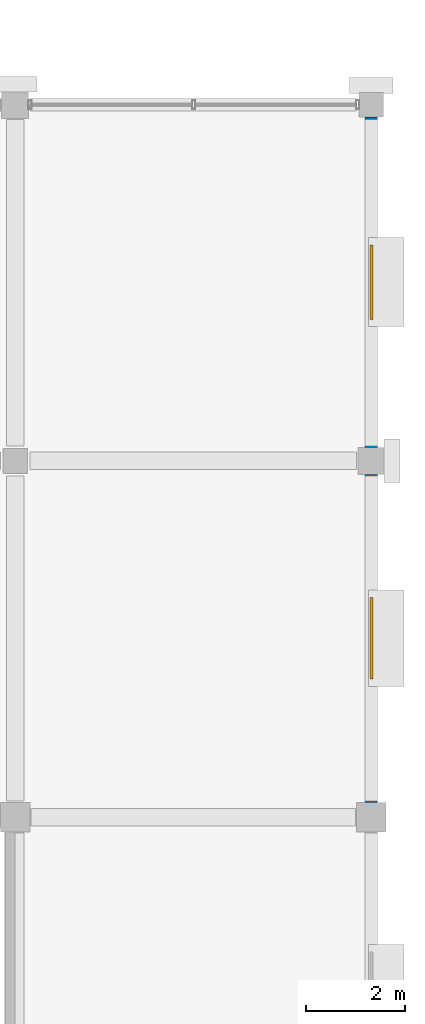
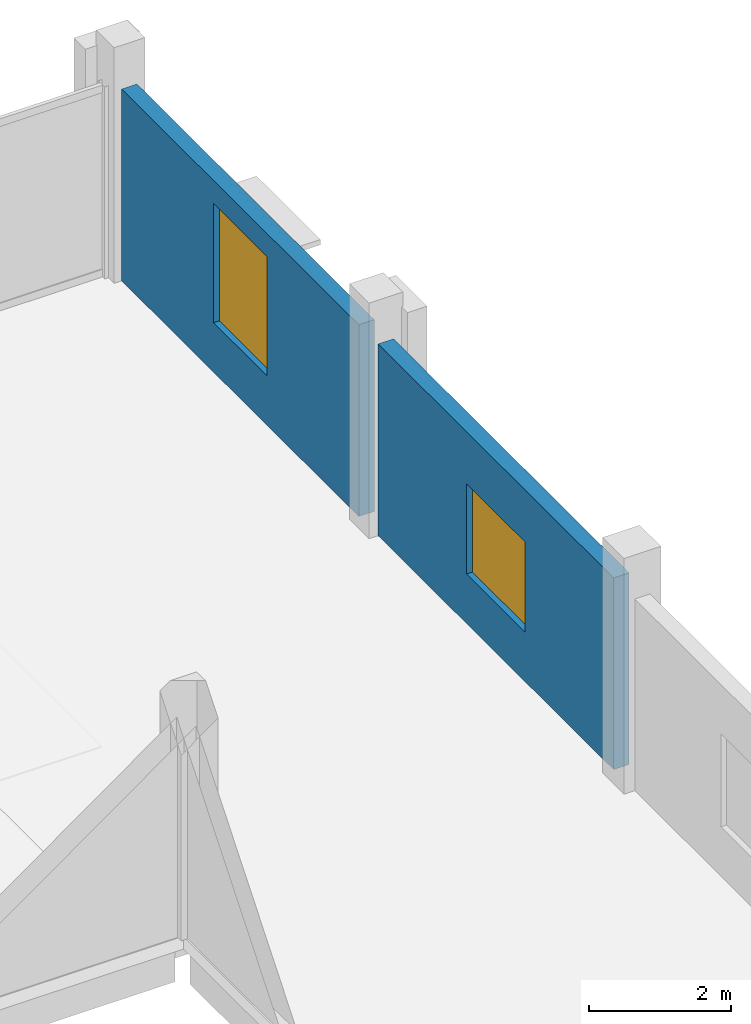
# One storey, part 45 of 59: 2 walls, 2 windows, 2 openings.
"""IFC4 building model written with IfcOpenShell, lengths in metres."""

from ifc_helpers import new_model, si_unit, direction, frame, frame_2d, origin, place, context, subcontext, project, spatial, rectangle, extrude, material, layer, layer_set, type_object, element, fill, save


model = new_model("IFC4")

# Units and contexts
model_context = context("Model", 3, precision=1e-05, world=origin(), true_north=direction((0.0, 1.0)))
body_context = subcontext(model_context, "Body", "Model", "MODEL_VIEW")
ifc_project = project(units=[si_unit("LENGTHUNIT", "METRE"), si_unit("AREAUNIT", "SQUARE_METRE"), si_unit("VOLUMEUNIT", "CUBIC_METRE"), si_unit("PLANEANGLEUNIT", "RADIAN"), si_unit("MASSUNIT", "GRAM", prefix="KILO")], contexts=[model_context])

# Site, building, storey
site_placement = place(None, origin())
site = spatial("IfcSite", under=ifc_project, at=site_placement, CompositionType="ELEMENT")
building_placement = place(site_placement, origin())
building = spatial("IfcBuilding", under=site, at=building_placement, Name="Kangsadwip Square Police Headquarters", CompositionType="ELEMENT")
storey_placement = place(building_placement, frame((0.0, 0.0, 21.60009765625)))
storey = spatial("IfcBuildingStorey", under=building, at=storey_placement, Name="L05", CompositionType="ELEMENT", Elevation=21.60009765625)

# Wall, opening, window
ifc_material_1 = material(Name="Glazed architectural terracotta masonry rainscreen", Category="masonry")
ifc_layer = layer(ifc_material_1, 0.25)
ifc_layer_set = layer_set([ifc_layer], Name="Glazed architectural terracotta masonry rainscreen")
wall_type = type_object("IfcWallType", Name="ChicagoTerracottaWall250", PredefinedType="SOLIDWALL", material=ifc_layer_set)
wall_1_placement = place(storey_placement, frame((165.60009765625, 101.094970703125, 0.0), z_axis=(0.0, 0.0, 1.0), x_axis=(0.0, 1.0, 0.0)))
wall_1 = element("IfcWall", 1, at=wall_1_placement, inside=storey, type_object=wall_type, Name="Exterior Wall WE-L05-532", PredefinedType="SOLIDWALL", context=body_context, shape_type="SweptSolid", body=[
    extrude(rectangle(XDim=6.635009765625, YDim=0.25, at=frame_2d((3.3173828125, 0.0))), origin(), (0.0, 0.0, 1.0), 3.294921875),
])
opening_1_placement = place(wall_1_placement, frame((2.492431640625, 0.0, 0.85009765625)))
opening_1 = element("IfcOpeningElement", 2, at=opening_1_placement, cuts=wall_1, Name="Opening WN-11", PredefinedType="OPENING", context=body_context, shape_type="SweptSolid", body=[
    extrude(rectangle(XDim=1.64990234375, YDim=1.550048828125, at=frame_2d((0.824951171875, 0.77490234375))), frame((0.0, 0.135009765625, 0.0), z_axis=(0.0, -1.0, 0.0), x_axis=(1.0, 0.0, 0.0)), (0.0, 0.0, 1.0), 0.27001953125),
])
ifc_material_2 = material(Name="Double-glazed solar-control low-E safety glass", Category="glass")
window_type_1 = type_object("IfcWindowType", Name="LabCleanViewWin1650x1550", PartitioningType="SINGLE_PANEL", PredefinedType="WINDOW", material=ifc_material_2)
window_1_placement = place(opening_1_placement, origin())
window_1 = element("IfcWindow", 3, at=window_1_placement, inside=storey, type_object=window_type_1, Name="Window WN-L05-0381", OverallHeight=1.550048828125, OverallWidth=1.64990234375, PartitioningType="SINGLE_PANEL", PredefinedType="WINDOW", context=body_context, shape_type="SweptSolid", body=[
    extrude(rectangle(XDim=1.64990234375, YDim=1.550048828125, at=frame_2d((0.824951171875, 0.77490234375))), frame((0.0, 0.030029296875, 0.0), z_axis=(0.0, -1.0, 0.0), x_axis=(1.0, 0.0, 0.0)), (0.0, 0.0, 1.0), 0.06005859375),
])
fill(opening_1, window_1)

wall_2_placement = place(storey_placement, frame((165.60009765625, 108.27001953125, 0.0), z_axis=(0.0, 0.0, 1.0), x_axis=(0.0, 1.0, 0.0)))
wall_2 = element("IfcWall", 4, at=wall_2_placement, inside=storey, type_object=wall_type, Name="Exterior Wall WE-L05-533", PredefinedType="SOLIDWALL", context=body_context, shape_type="SweptSolid", body=[
    extrude(rectangle(XDim=6.68505859375, YDim=0.25, at=frame_2d((3.342529296875, 0.0))), origin(), (0.0, 0.0, 1.0), 3.294921875),
])
opening_2_placement = place(wall_2_placement, frame((2.592529296875, 0.0, 0.85009765625)))
opening_2 = element("IfcOpeningElement", 5, at=opening_2_placement, cuts=wall_2, Name="Opening WN-12", PredefinedType="OPENING", context=body_context, shape_type="SweptSolid", body=[
    extrude(rectangle(XDim=1.5, YDim=2.050048828125, at=frame_2d((0.75, 1.02490234375))), frame((0.0, 0.135009765625, 0.0), z_axis=(0.0, -1.0, 0.0), x_axis=(1.0, 0.0, 0.0)), (0.0, 0.0, 1.0), 0.27001953125),
])
ifc_material_3 = material(Name="Double-glazed solar-control low-E safety glass", Category="glass")
window_type_2 = type_object("IfcWindowType", Name="DirectorateTallWin1500x2050", PartitioningType="SINGLE_PANEL", PredefinedType="WINDOW", material=ifc_material_3)
window_2_placement = place(opening_2_placement, origin())
window_2 = element("IfcWindow", 6, at=window_2_placement, inside=storey, type_object=window_type_2, Name="Window WN-L05-0382", OverallHeight=2.050048828125, OverallWidth=1.5, PartitioningType="SINGLE_PANEL", PredefinedType="WINDOW", context=body_context, shape_type="SweptSolid", body=[
    extrude(rectangle(XDim=1.5, YDim=2.050048828125, at=frame_2d((0.75, 1.02490234375))), frame((0.0, 0.030029296875, 0.0), z_axis=(0.0, -1.0, 0.0), x_axis=(1.0, 0.0, 0.0)), (0.0, 0.0, 1.0), 0.06005859375),
])
fill(opening_2, window_2)

save(model, "model.ifc")
